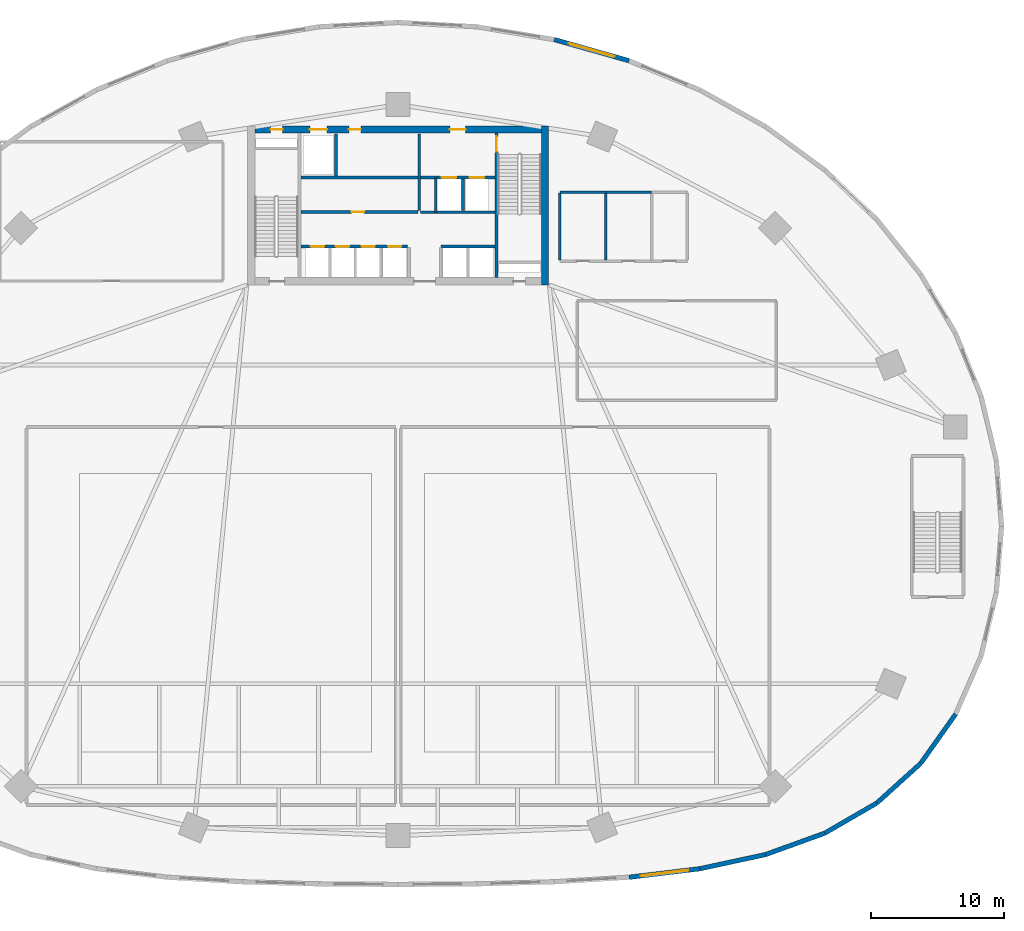
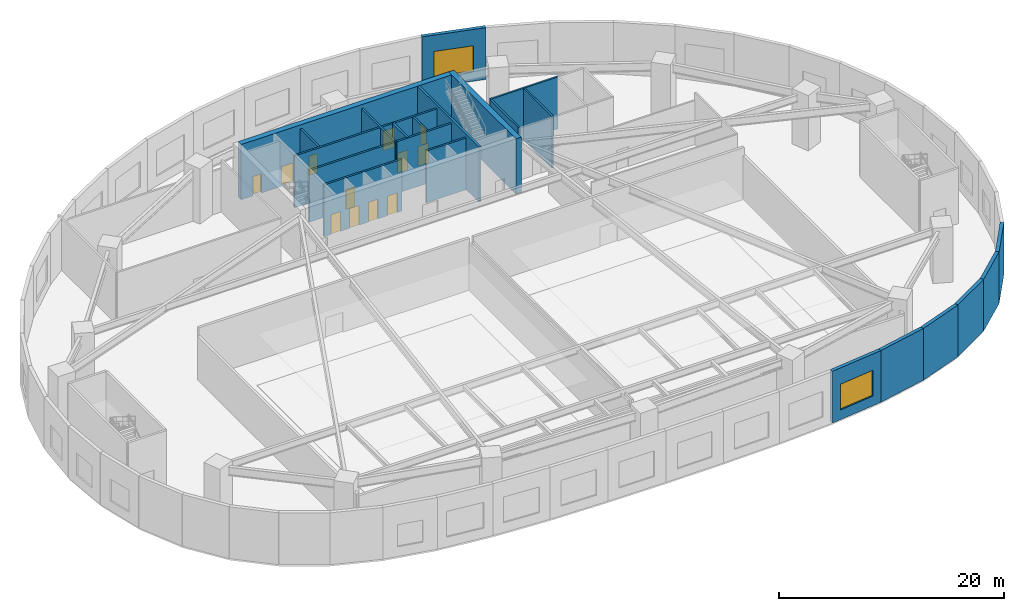
# One storey, part 4 of 10: 24 walls, 12 doors, 2 windows, 14 openings.
"""IFC4 building model written with IfcOpenShell, lengths in metres."""

from ifc_helpers import new_model, si_unit, direction, frame, frame_2d, origin, place, context, subcontext, project, spatial, rectangle, extrude, source, transform, mapped, material, layer, layer_set, type_object, type_shapes, element, fill, save


model = new_model("IFC4")

# Units and contexts
model_context = context("Model", 3, precision=1e-05, world=origin(), true_north=direction((0.0, 1.0)))
body_context = subcontext(model_context, "Body", "Model", "MODEL_VIEW")
ifc_project = project(units=[si_unit("LENGTHUNIT", "METRE"), si_unit("AREAUNIT", "SQUARE_METRE"), si_unit("VOLUMEUNIT", "CUBIC_METRE"), si_unit("PLANEANGLEUNIT", "RADIAN"), si_unit("MASSUNIT", "GRAM", prefix="KILO")], contexts=[model_context])

# Site, building, storey
site_placement = place(None, origin())
site = spatial("IfcSite", under=ifc_project, at=site_placement, CompositionType="ELEMENT")
building_placement = place(site_placement, origin())
building = spatial("IfcBuilding", under=site, at=building_placement, Name="Breltana Convention Tower", CompositionType="ELEMENT")
storey_placement = place(building_placement, frame((0.0, 0.0, 18.0)))
storey = spatial("IfcBuildingStorey", under=building, at=storey_placement, Name="L03", CompositionType="ELEMENT", Elevation=18.0)

# Wall
ifc_material_1 = material(Name="Concrete C60/75", Category="concrete")
ifc_layer_1 = layer(ifc_material_1, 0.550048828125, Name="Concrete C60/75")
ifc_layer_set_1 = layer_set([ifc_layer_1], Name="Concrete C60/75")
wall_type_1 = type_object("IfcWallType", Name="SW-CORE-550", PredefinedType="SHEAR", material=ifc_layer_set_1)
shared_shape_1 = source(origin(), body_context, "Body", "SweptSolid", [
    extrude(rectangle(XDim=12.0, YDim=0.550048828125, at=frame_2d((6.0, 0.0))), origin(), (0.0, 0.0, 1.0), 6.0),
])
wall_1_placement = place(storey_placement, frame((59.074951171875, 60.199951171875, 0.0), z_axis=(0.0, 0.0, 1.0), x_axis=(0.0, 1.0, 0.0)))
element("IfcWall", 1, at=wall_1_placement, inside=storey, type_object=wall_type_1, Name="L03 East Core Shear Wall", PredefinedType="SHEAR", context=body_context, shape_type="MappedRepresentation", body=[
    mapped(shared_shape_1, transform((0.0, 0.0, 0.0), scale=1.0)),
])

# Wall, openings, doors
shared_shape_2 = source(origin(), body_context, "Body", "SweptSolid", [
    extrude(rectangle(XDim=21.60009765625, YDim=0.550048828125, at=frame_2d((10.800048828125, 0.0))), origin(), (0.0, 0.0, 1.0), 6.0),
])
wall_2_placement = place(storey_placement, frame((37.199951171875, 71.925048828125, 0.0), z_axis=(0.0, 0.0, 1.0), x_axis=(1.0, 0.0, 0.0)))
wall_2 = element("IfcWall", 2, at=wall_2_placement, inside=storey, type_object=wall_type_1, Name="L03 North Core Shear Wall", PredefinedType="SHEAR", context=body_context, shape_type="MappedRepresentation", body=[
    mapped(shared_shape_2, transform((0.0, 0.0, 0.0), scale=1.0)),
])
opening_1_placement = place(wall_2_placement, frame((1.199951171875, 0.0, 0.0)))
opening_1 = element("IfcOpeningElement", 3, at=opening_1_placement, cuts=wall_2, Name="Opening D-18", PredefinedType="OPENING", context=body_context, shape_type="SweptSolid", body=[
    extrude(rectangle(XDim=0.89990234375, YDim=2.10009765625, at=frame_2d((0.449951171875, 1.050048828125))), frame((0.0, 0.28515625, 0.0), z_axis=(0.0, -1.0, 0.0), x_axis=(1.0, 0.0, 0.0)), (0.0, 0.0, 1.0), 0.570068359375),
])
opening_2_placement = place(wall_2_placement, frame((14.699951171875, 0.0, 0.0)))
opening_2 = element("IfcOpeningElement", 4, at=opening_2_placement, cuts=wall_2, Name="Opening D-09", PredefinedType="OPENING", context=body_context, shape_type="SweptSolid", body=[
    extrude(rectangle(XDim=1.199951171875, YDim=2.14990234375, at=frame_2d((0.60009765625, 1.074951171875))), frame((0.0, 0.28515625, 0.0), z_axis=(0.0, -1.0, 0.0), x_axis=(1.0, 0.0, 0.0)), (0.0, 0.0, 1.0), 0.570068359375),
])
opening_3_placement = place(wall_2_placement, frame((4.14990234375, 0.0, 0.0)))
opening_3 = element("IfcOpeningElement", 5, at=opening_3_placement, cuts=wall_2, Name="Opening LD-01", PredefinedType="OPENING", context=body_context, shape_type="SweptSolid", body=[
    extrude(rectangle(XDim=1.300048828125, YDim=2.14990234375, at=frame_2d((0.64990234375, 1.074951171875))), frame((0.0, 0.28515625, 0.0), z_axis=(0.0, -1.0, 0.0), x_axis=(1.0, 0.0, 0.0)), (0.0, 0.0, 1.0), 0.570068359375),
])
opening_4_placement = place(wall_2_placement, frame((7.10009765625, 0.0, 0.0)))
opening_4 = element("IfcOpeningElement", 6, at=opening_4_placement, cuts=wall_2, Name="Opening D-18", PredefinedType="OPENING", context=body_context, shape_type="SweptSolid", body=[
    extrude(rectangle(XDim=0.89990234375, YDim=2.10009765625, at=frame_2d((0.449951171875, 1.050048828125))), frame((0.0, 0.28515625, 0.0), z_axis=(0.0, -1.0, 0.0), x_axis=(1.0, 0.0, 0.0)), (0.0, 0.0, 1.0), 0.570068359375),
])
ifc_material_2 = material(Name="Steel Riser Fire Door", Category="steel")
door_type_1 = type_object("IfcDoorType", Name="DR-FD60-900", OperationType="NOTDEFINED", PredefinedType="DOOR", material=ifc_material_2)
shared_shape_3 = source(origin(), body_context, "Body", "SweptSolid", [
    extrude(rectangle(XDim=0.89990234375, YDim=2.10009765625, at=frame_2d((0.449951171875, 1.050048828125))), frame((0.0, 0.02490234375, 0.0), z_axis=(0.0, -1.0, 0.0), x_axis=(1.0, 0.0, 0.0)), (0.0, 0.0, 1.0), 0.050048828125),
])
type_shapes(door_type_1, [shared_shape_3])
door_1_placement = place(opening_1_placement, origin())
door_1 = element("IfcDoor", 7, at=door_1_placement, inside=storey, type_object=door_type_1, Name="L03 Core Riser Access Door D-L03-RS1", OperationType="SINGLE_SWING_LEFT", OverallHeight=2.10009765625, OverallWidth=0.89990234375, PredefinedType="DOOR", context=body_context, shape_type="MappedRepresentation", body=[
    mapped(shared_shape_3, transform((0.0, 0.0, 0.0), scale=1.0)),
])
fill(opening_1, door_1)
door_2_placement = place(opening_4_placement, origin())
door_2 = element("IfcDoor", 8, at=door_2_placement, inside=storey, type_object=door_type_1, Name="L03 interior door D-L03-CRA1", OperationType="SINGLE_SWING_LEFT", OverallHeight=2.10009765625, OverallWidth=0.89990234375, PredefinedType="DOOR", context=body_context, shape_type="MappedRepresentation", body=[
    mapped(shared_shape_3, transform((0.0, 0.0, 0.0), scale=1.0)),
])
fill(opening_4, door_2)
ifc_material_3 = material(Name="Steel Fire Lobby Door", Category="steel")
door_type_2 = type_object("IfcDoorType", Name="DR-FD120-1200", OperationType="NOTDEFINED", PredefinedType="DOOR", material=ifc_material_3)
shared_shape_4 = source(origin(), body_context, "Body", "SweptSolid", [
    extrude(rectangle(XDim=1.199951171875, YDim=2.14990234375, at=frame_2d((0.60009765625, 1.074951171875))), frame((0.0, 0.02490234375, 0.0), z_axis=(0.0, -1.0, 0.0), x_axis=(1.0, 0.0, 0.0)), (0.0, 0.0, 1.0), 0.050048828125),
])
type_shapes(door_type_2, [shared_shape_4])
door_3_placement = place(opening_2_placement, origin())
door_3 = element("IfcDoor", 9, at=door_3_placement, inside=storey, type_object=door_type_2, Name="L03 interior door D-L03-FFL-N", OperationType="SINGLE_SWING_RIGHT", OverallHeight=2.14990234375, OverallWidth=1.199951171875, PredefinedType="DOOR", context=body_context, shape_type="MappedRepresentation", body=[
    mapped(shared_shape_4, transform((0.0, 0.0, 0.0), scale=1.0)),
])
fill(opening_2, door_3)
ifc_material_4 = material(Name="Stainless Steel Brushed", Category="steel")
door_type_3 = type_object("IfcDoorType", Name="DR-LD-SRV-1300", OperationType="DOUBLE_DOOR_SLIDING", PredefinedType="DOOR", material=ifc_material_4)
shared_shape_5 = source(origin(), body_context, "Body", "SweptSolid", [
    extrude(rectangle(XDim=1.300048828125, YDim=2.14990234375, at=frame_2d((0.64990234375, 1.074951171875))), frame((0.0, 0.02490234375, 0.0), z_axis=(0.0, -1.0, 0.0), x_axis=(1.0, 0.0, 0.0)), (0.0, 0.0, 1.0), 0.050048828125),
])
type_shapes(door_type_3, [shared_shape_5])
door_4_placement = place(opening_3_placement, origin())
door_4 = element("IfcDoor", 10, at=door_4_placement, inside=storey, type_object=door_type_3, Name="L03 Lift Landing Door D-L03-LD-SV1", OperationType="DOUBLE_DOOR_SLIDING", OverallHeight=2.14990234375, OverallWidth=1.300048828125, PredefinedType="DOOR", context=body_context, shape_type="MappedRepresentation", body=[
    mapped(shared_shape_5, transform((0.0, 0.0, 0.0), scale=1.0)),
])
fill(opening_3, door_4)

# Wall, opening, door
ifc_material_5 = material(Name="Concrete C50/60", Category="concrete")
ifc_layer_2 = layer(ifc_material_5, 0.39990234375, Name="Concrete C50/60")
ifc_layer_set_2 = layer_set([ifc_layer_2], Name="Concrete C50/60")
wall_type_2 = type_object("IfcWallType", Name="SW-CORE-400", PredefinedType="SHEAR", material=ifc_layer_set_2)
shared_shape_6 = source(origin(), body_context, "Body", "SweptSolid", [
    extrude(rectangle(XDim=10.89990234375, YDim=0.219970703125, at=frame_2d((5.449951171875, 0.0))), origin(), (0.0, 0.0, 1.0), 6.0),
])
wall_3_placement = place(storey_placement, frame((55.419921875, 60.75, 0.0), z_axis=(0.0, 0.0, 1.0), x_axis=(0.0, 1.0, 0.0)))
wall_3 = element("IfcWall", 11, at=wall_3_placement, inside=storey, type_object=wall_type_2, Name="L03 Core East Stair Spine Wall", PredefinedType="SHEAR", context=body_context, shape_type="MappedRepresentation", body=[
    mapped(shared_shape_6, transform((0.0, 0.0, 0.0), scale=1.0)),
])
opening_5_placement = place(wall_3_placement, frame((9.4951171875, 0.0, 0.0)))
opening_5 = element("IfcOpeningElement", 12, at=opening_5_placement, cuts=wall_3, Name="Opening D-11", PredefinedType="OPENING", context=body_context, shape_type="SweptSolid", body=[
    extrude(rectangle(XDim=1.14990234375, YDim=2.14990234375, at=frame_2d((0.574951171875, 1.074951171875))), frame((0.0, 0.1201171875, 0.0), z_axis=(0.0, -1.0, 0.0), x_axis=(1.0, 0.0, 0.0)), (0.0, 0.0, 1.0), 0.239990234375),
])
ifc_material_6 = material(Name="Steel Stair Exit Door", Category="steel")
door_type_4 = type_object("IfcDoorType", Name="DR-FD120-1150", OperationType="NOTDEFINED", PredefinedType="DOOR", material=ifc_material_6)
shared_shape_7 = source(origin(), body_context, "Body", "SweptSolid", [
    extrude(rectangle(XDim=1.14990234375, YDim=2.14990234375, at=frame_2d((0.574951171875, 1.074951171875))), frame((0.0, 0.02490234375, 0.0), z_axis=(0.0, -1.0, 0.0), x_axis=(1.0, 0.0, 0.0)), (0.0, 0.0, 1.0), 0.050048828125),
])
type_shapes(door_type_4, [shared_shape_7])
door_5_placement = place(opening_5_placement, origin())
door_5 = element("IfcDoor", 13, at=door_5_placement, inside=storey, type_object=door_type_4, Name="L03 interior door D-L03-ST2", OperationType="SINGLE_SWING_LEFT", OverallHeight=2.14990234375, OverallWidth=1.14990234375, PredefinedType="DOOR", context=body_context, shape_type="MappedRepresentation", body=[
    mapped(shared_shape_7, transform((0.0, 0.0, 0.0), scale=1.0)),
])
fill(opening_5, door_5)

# Wall, opening, window
ifc_material_7 = material(Name="Limestone Buff Insulated Wall", Category="masonry")
ifc_layer_3 = layer(ifc_material_7, 0.35009765625, Name="Limestone Buff Insulated Wall")
ifc_layer_set_3 = layer_set([ifc_layer_3], Name="Limestone Buff Insulated Wall")
wall_type_3 = type_object("IfcWallType", Name="WL-EXT-POD-350", PredefinedType="SOLIDWALL", material=ifc_layer_set_3)
shared_shape_8 = source(origin(), body_context, "Body", "SweptSolid", [
    extrude(rectangle(XDim=5.85791015625, YDim=0.35009765625, at=frame_2d((2.928955078125, 0.0))), origin(), (0.0, 0.0, 1.0), 5.6201171875),
])
wall_4_placement = place(storey_placement, frame((65.412109375, 77.107421875, 0.0), z_axis=(0.0, 0.0, 1.0), x_axis=(-0.962088093248, 0.272738887637, 0.0)))
wall_4 = element("IfcWall", 14, at=wall_4_placement, inside=storey, type_object=wall_type_3, Name="L03 limestone facade wall 10", PredefinedType="SOLIDWALL", context=body_context, shape_type="MappedRepresentation", body=[
    mapped(shared_shape_8, transform((0.0, 0.0, 0.0), scale=1.0)),
])
opening_6_placement = place(wall_4_placement, frame((1.12890625, 0.0, 1.050048828125)))
opening_6 = element("IfcOpeningElement", 15, at=opening_6_placement, cuts=wall_4, Name="Opening W-01", PredefinedType="OPENING", context=body_context, shape_type="SweptSolid", body=[
    extrude(rectangle(XDim=3.60009765625, YDim=2.800048828125, at=frame_2d((1.800048828125, 1.39990234375))), frame((0.0, 0.18505859375, 0.0), z_axis=(0.0, -1.0, 0.0), x_axis=(1.0, 0.0, 0.0)), (0.0, 0.0, 1.0), 0.3701171875),
])
ifc_material_8 = material(Name="Glass Low-E Insulated Window", Category="glass")
window_type = type_object("IfcWindowType", Name="WN-POD-3600X2800", PartitioningType="TRIPLE_PANEL_VERTICAL", PredefinedType="WINDOW", material=ifc_material_8)
shared_shape_9 = source(origin(), body_context, "Body", "SweptSolid", [
    extrude(rectangle(XDim=3.60009765625, YDim=2.800048828125, at=frame_2d((1.800048828125, 1.39990234375))), frame((0.0, 0.030029296875, 0.0), z_axis=(0.0, -1.0, 0.0), x_axis=(1.0, 0.0, 0.0)), (0.0, 0.0, 1.0), 0.06005859375),
])
type_shapes(window_type, [shared_shape_9])
window_1_placement = place(opening_6_placement, origin())
window_1 = element("IfcWindow", 16, at=window_1_placement, inside=storey, type_object=window_type, Name="L03 tripartite window 10.1", OverallHeight=2.800048828125, OverallWidth=3.60009765625, PartitioningType="TRIPLE_PANEL_VERTICAL", PredefinedType="WINDOW", context=body_context, shape_type="MappedRepresentation", body=[
    mapped(shared_shape_9, transform((0.0, 0.0, 0.0), scale=1.0)),
])
fill(opening_6, window_1)

# Walls
shared_shape_10 = source(origin(), body_context, "Body", "SweptSolid", [
    extrude(rectangle(XDim=4.54833984375, YDim=0.35009765625, at=frame_2d((2.274169921875, 0.0))), origin(), (0.0, 0.0, 1.0), 5.6201171875),
])
wall_5_placement = place(storey_placement, frame((87.404296875, 24.14501953125, 0.0), z_axis=(0.0, 0.0, 1.0), x_axis=(0.578742399763, 0.815510413616, 0.0)))
element("IfcWall", 17, at=wall_5_placement, inside=storey, type_object=wall_type_3, Name="L03 limestone facade wall 45", PredefinedType="SOLIDWALL", context=body_context, shape_type="MappedRepresentation", body=[
    mapped(shared_shape_10, transform((0.0, 0.0, 0.0), scale=1.0)),
])
shared_shape_11 = source(origin(), body_context, "Body", "SweptSolid", [
    extrude(rectangle(XDim=4.458740234375, YDim=0.35009765625, at=frame_2d((2.2294921875, 0.0))), origin(), (0.0, 0.0, 1.0), 5.6201171875),
])
wall_6_placement = place(storey_placement, frame((84.09765625, 21.154052734375, 0.0), z_axis=(0.0, 0.0, 1.0), x_axis=(0.741620092595, 0.670820123625, 0.0)))
element("IfcWall", 18, at=wall_6_placement, inside=storey, type_object=wall_type_3, Name="L03 limestone facade wall 44", PredefinedType="SOLIDWALL", context=body_context, shape_type="MappedRepresentation", body=[
    mapped(shared_shape_11, transform((0.0, 0.0, 0.0), scale=1.0)),
])
shared_shape_12 = source(origin(), body_context, "Body", "SweptSolid", [
    extrude(rectangle(XDim=4.535400390625, YDim=0.35009765625, at=frame_2d((2.267578125, 0.0))), origin(), (0.0, 0.0, 1.0), 5.6201171875),
])
wall_7_placement = place(storey_placement, frame((80.17333984375, 18.880615234375, 0.0), z_axis=(0.0, 0.0, 1.0), x_axis=(0.86528620064, 0.501278157295, 0.0)))
element("IfcWall", 19, at=wall_7_placement, inside=storey, type_object=wall_type_3, Name="L03 limestone facade wall 43", PredefinedType="SOLIDWALL", context=body_context, shape_type="MappedRepresentation", body=[
    mapped(shared_shape_12, transform((0.0, 0.0, 0.0), scale=1.0)),
])
shared_shape_13 = source(origin(), body_context, "Body", "SweptSolid", [
    extrude(rectangle(XDim=4.75830078125, YDim=0.35009765625, at=frame_2d((2.379150390625, 0.0))), origin(), (0.0, 0.0, 1.0), 5.6201171875),
])
wall_8_placement = place(storey_placement, frame((75.698486328125, 17.2626953125, 0.0), z_axis=(0.0, 0.0, 1.0), x_axis=(0.940419515454, 0.340016374538, 0.0)))
element("IfcWall", 20, at=wall_8_placement, inside=storey, type_object=wall_type_3, Name="L03 limestone facade wall 42", PredefinedType="SOLIDWALL", context=body_context, shape_type="MappedRepresentation", body=[
    mapped(shared_shape_13, transform((0.0, 0.0, 0.0), scale=1.0)),
])
shared_shape_14 = source(origin(), body_context, "Body", "SweptSolid", [
    extrude(rectangle(XDim=5.062255859375, YDim=0.35009765625, at=frame_2d((2.53125, 0.0))), origin(), (0.0, 0.0, 1.0), 5.6201171875),
])
wall_9_placement = place(storey_placement, frame((70.75, 16.196044921875, 0.0), z_axis=(0.0, 0.0, 1.0), x_axis=(0.977548321811, 0.210711363066, 0.0)))
element("IfcWall", 21, at=wall_9_placement, inside=storey, type_object=wall_type_3, Name="L03 limestone facade wall 41", PredefinedType="SOLIDWALL", context=body_context, shape_type="MappedRepresentation", body=[
    mapped(shared_shape_14, transform((0.0, 0.0, 0.0), scale=1.0)),
])

# Wall, opening, window
shared_shape_15 = source(origin(), body_context, "Body", "SweptSolid", [
    extrude(rectangle(XDim=5.37646484375, YDim=0.35009765625, at=frame_2d((2.688232421875, 0.0))), origin(), (0.0, 0.0, 1.0), 5.6201171875),
])
wall_10_placement = place(storey_placement, frame((65.412109375, 15.552734375, 0.0), z_axis=(0.0, 0.0, 1.0), x_axis=(0.992815901624, 0.119651934723, 0.0)))
wall_10 = element("IfcWall", 22, at=wall_10_placement, inside=storey, type_object=wall_type_3, Name="L03 limestone facade wall 40", PredefinedType="SOLIDWALL", context=body_context, shape_type="MappedRepresentation", body=[
    mapped(shared_shape_15, transform((0.0, 0.0, 0.0), scale=1.0)),
])
opening_7_placement = place(wall_10_placement, frame((0.88818359375, 0.0, 1.050048828125)))
opening_7 = element("IfcOpeningElement", 23, at=opening_7_placement, cuts=wall_10, Name="Opening W-01", PredefinedType="OPENING", context=body_context, shape_type="SweptSolid", body=[
    extrude(rectangle(XDim=3.60009765625, YDim=2.800048828125, at=frame_2d((1.800048828125, 1.39990234375))), frame((0.0, 0.18505859375, 0.0), z_axis=(0.0, -1.0, 0.0), x_axis=(1.0, 0.0, 0.0)), (0.0, 0.0, 1.0), 0.3701171875),
])
window_2_placement = place(opening_7_placement, origin())
window_2 = element("IfcWindow", 24, at=window_2_placement, inside=storey, type_object=window_type, Name="L03 tripartite window 40.1", OverallHeight=2.800048828125, OverallWidth=3.60009765625, PartitioningType="TRIPLE_PANEL_VERTICAL", PredefinedType="WINDOW", context=body_context, shape_type="MappedRepresentation", body=[
    mapped(shared_shape_9, transform((0.0, 0.0, 0.0), scale=1.0)),
])
fill(opening_7, window_2)

# Wall, openings, doors
ifc_material_9 = material(Name="Autoclaved Aerated Concrete Block", Category="concrete")
ifc_layer_4 = layer(ifc_material_9, 0.199951171875, Name="Autoclaved Aerated Concrete Block")
ifc_layer_set_4 = layer_set([ifc_layer_4], Name="Autoclaved Aerated Concrete Block")
wall_type_4 = type_object("IfcWallType", Name="WL-SHAFT-200", PredefinedType="SOLIDWALL", material=ifc_layer_set_4)
shared_shape_16 = source(origin(), body_context, "Body", "SweptSolid", [
    extrude(rectangle(XDim=5.6201171875, YDim=0.199951171875, at=frame_2d((2.81005859375, 0.0))), origin(), (0.0, 0.0, 1.0), 5.6201171875),
])
wall_11_placement = place(storey_placement, frame((49.699951171875, 68.300048828125, 0.0), z_axis=(0.0, 0.0, 1.0), x_axis=(1.0, 0.0, 0.0)))
wall_11 = element("IfcWall", 25, at=wall_11_placement, inside=storey, type_object=wall_type_4, Name="L03 interior partition W-L03-FFL-S", PredefinedType="SOLIDWALL", context=body_context, shape_type="MappedRepresentation", body=[
    mapped(shared_shape_16, transform((0.0, 0.0, 0.0), scale=1.0)),
])
opening_8_placement = place(wall_11_placement, frame((1.60009765625, 0.0, 0.0)))
opening_8 = element("IfcOpeningElement", 26, at=opening_8_placement, cuts=wall_11, Name="Opening LD-03", PredefinedType="OPENING", context=body_context, shape_type="SweptSolid", body=[
    extrude(rectangle(XDim=1.10009765625, YDim=2.14990234375, at=frame_2d((0.550048828125, 1.074951171875))), frame((0.0, 0.10986328125, 0.0), z_axis=(0.0, -1.0, 0.0), x_axis=(1.0, 0.0, 0.0)), (0.0, 0.0, 1.0), 0.219970703125),
])
opening_9_placement = place(wall_11_placement, frame((3.699951171875, 0.0, 0.0)))
opening_9 = element("IfcOpeningElement", 27, at=opening_9_placement, cuts=wall_11, Name="Opening LD-03", PredefinedType="OPENING", context=body_context, shape_type="SweptSolid", body=[
    extrude(rectangle(XDim=1.10009765625, YDim=2.14990234375, at=frame_2d((0.550048828125, 1.074951171875))), frame((0.0, 0.10986328125, 0.0), z_axis=(0.0, -1.0, 0.0), x_axis=(1.0, 0.0, 0.0)), (0.0, 0.0, 1.0), 0.219970703125),
])
door_type_5 = type_object("IfcDoorType", Name="DR-LD-FF-1100", OperationType="DOUBLE_DOOR_SLIDING", PredefinedType="DOOR", material=ifc_material_4)
shared_shape_17 = source(origin(), body_context, "Body", "SweptSolid", [
    extrude(rectangle(XDim=1.10009765625, YDim=2.14990234375, at=frame_2d((0.550048828125, 1.074951171875))), frame((0.0, 0.02490234375, 0.0), z_axis=(0.0, -1.0, 0.0), x_axis=(1.0, 0.0, 0.0)), (0.0, 0.0, 1.0), 0.050048828125),
])
type_shapes(door_type_5, [shared_shape_17])
door_6_placement = place(opening_8_placement, origin())
door_6 = element("IfcDoor", 28, at=door_6_placement, inside=storey, type_object=door_type_5, Name="L03 Lift Landing Door D-L03-LD-FL1", OperationType="DOUBLE_DOOR_SLIDING", OverallHeight=2.14990234375, OverallWidth=1.10009765625, PredefinedType="DOOR", context=body_context, shape_type="MappedRepresentation", body=[
    mapped(shared_shape_17, transform((0.0, 0.0, 0.0), scale=1.0)),
])
fill(opening_8, door_6)
door_7_placement = place(opening_9_placement, origin())
door_7 = element("IfcDoor", 29, at=door_7_placement, inside=storey, type_object=door_type_5, Name="L03 Lift Landing Door D-L03-LD-FL2", OperationType="DOUBLE_DOOR_SLIDING", OverallHeight=2.14990234375, OverallWidth=1.10009765625, PredefinedType="DOOR", context=body_context, shape_type="MappedRepresentation", body=[
    mapped(shared_shape_17, transform((0.0, 0.0, 0.0), scale=1.0)),
])
fill(opening_9, door_7)

# Walls
wall_12_placement = place(storey_placement, frame((49.699951171875, 65.679931640625, 0.0), z_axis=(0.0, 0.0, 1.0), x_axis=(1.0, 0.0, 0.0)))
element("IfcWall", 30, at=wall_12_placement, inside=storey, type_object=wall_type_4, Name="L03 interior partition W-L03-FL-S", PredefinedType="SOLIDWALL", context=body_context, shape_type="MappedRepresentation", body=[
    mapped(shared_shape_16, transform((0.0, 0.0, 0.0), scale=1.0)),
])
shared_shape_18 = source(origin(), body_context, "Body", "SweptSolid", [
    extrude(rectangle(XDim=5.800048828125, YDim=0.199951171875, at=frame_2d((2.89990234375, 0.0))), origin(), (0.0, 0.0, 1.0), 5.6201171875),
])
wall_13_placement = place(storey_placement, frame((49.60009765625, 65.800048828125, 0.0), z_axis=(0.0, 0.0, 1.0), x_axis=(0.0, 1.0, 0.0)))
element("IfcWall", 31, at=wall_13_placement, inside=storey, type_object=wall_type_4, Name="L03 interior partition W-L03-FFL-W", PredefinedType="SOLIDWALL", context=body_context, shape_type="MappedRepresentation", body=[
    mapped(shared_shape_18, transform((0.0, 0.0, 0.0), scale=1.0)),
])
shared_shape_19 = source(origin(), body_context, "Body", "SweptSolid", [
    extrude(rectangle(XDim=2.580078125, YDim=0.199951171875, at=frame_2d((1.2900390625, 0.0))), origin(), (0.0, 0.0, 1.0), 5.6201171875),
])
wall_14_placement = place(storey_placement, frame((50.85009765625, 65.679931640625, 0.0), z_axis=(0.0, 0.0, 1.0), x_axis=(0.0, 1.0, 0.0)))
element("IfcWall", 32, at=wall_14_placement, inside=storey, type_object=wall_type_4, Name="L03 interior partition W-L03-FL-W", PredefinedType="SOLIDWALL", context=body_context, shape_type="MappedRepresentation", body=[
    mapped(shared_shape_19, transform((0.0, 0.0, 0.0), scale=1.0)),
])
shared_shape_20 = source(origin(), body_context, "Body", "SweptSolid", [
    extrude(rectangle(XDim=2.39990234375, YDim=0.199951171875, at=frame_2d((1.199951171875, 0.0))), origin(), (0.0, 0.0, 1.0), 5.6201171875),
])
wall_15_placement = place(storey_placement, frame((52.89990234375, 65.800048828125, 0.0), z_axis=(0.0, 0.0, 1.0), x_axis=(0.0, 1.0, 0.0)))
element("IfcWall", 33, at=wall_15_placement, inside=storey, type_object=wall_type_4, Name="L03 interior partition W-L03-FL-DIV", PredefinedType="SOLIDWALL", context=body_context, shape_type="MappedRepresentation", body=[
    mapped(shared_shape_20, transform((0.0, 0.0, 0.0), scale=1.0)),
])
shared_shape_21 = source(origin(), body_context, "Body", "SweptSolid", [
    extrude(rectangle(XDim=3.2001953125, YDim=0.199951171875, at=frame_2d((1.60009765625, 0.0))), origin(), (0.0, 0.0, 1.0), 5.6201171875),
])
wall_16_placement = place(storey_placement, frame((43.320068359375, 68.39990234375, 0.0), z_axis=(0.0, 0.0, 1.0), x_axis=(0.0, 1.0, 0.0)))
element("IfcWall", 34, at=wall_16_placement, inside=storey, type_object=wall_type_4, Name="L03 interior partition W-L03-SV-E", PredefinedType="SOLIDWALL", context=body_context, shape_type="MappedRepresentation", body=[
    mapped(shared_shape_21, transform((0.0, 0.0, 0.0), scale=1.0)),
])
shared_shape_22 = source(origin(), body_context, "Body", "SweptSolid", [
    extrude(rectangle(XDim=8.800048828125, YDim=0.199951171875, at=frame_2d((4.39990234375, 0.0))), origin(), (0.0, 0.0, 1.0), 5.6201171875),
])
wall_17_placement = place(storey_placement, frame((40.699951171875, 68.300048828125, 0.0), z_axis=(0.0, 0.0, 1.0), x_axis=(1.0, 0.0, 0.0)))
element("IfcWall", 35, at=wall_17_placement, inside=storey, type_object=wall_type_4, Name="L03 interior partition W-L03-SV-S", PredefinedType="SOLIDWALL", context=body_context, shape_type="MappedRepresentation", body=[
    mapped(shared_shape_22, transform((0.0, 0.0, 0.0), scale=1.0)),
])

# Wall, opening, door
wall_18_placement = place(storey_placement, frame((40.699951171875, 65.699951171875, 0.0), z_axis=(0.0, 0.0, 1.0), x_axis=(1.0, 0.0, 0.0)))
wall_18 = element("IfcWall", 36, at=wall_18_placement, inside=storey, type_object=wall_type_4, Name="L03 interior partition W-L03-SH-M-FRONT", PredefinedType="SOLIDWALL", context=body_context, shape_type="MappedRepresentation", body=[
    mapped(shared_shape_22, transform((0.0, 0.0, 0.0), scale=1.0)),
])
opening_10_placement = place(wall_18_placement, frame((3.800048828125, 0.0, 0.0)))
opening_10 = element("IfcOpeningElement", 37, at=opening_10_placement, cuts=wall_18, Name="Opening D-14", PredefinedType="OPENING", context=body_context, shape_type="SweptSolid", body=[
    extrude(rectangle(XDim=0.949951171875, YDim=2.14990234375, at=frame_2d((0.47509765625, 1.074951171875))), frame((0.0, 0.10986328125, 0.0), z_axis=(0.0, -1.0, 0.0), x_axis=(1.0, 0.0, 0.0)), (0.0, 0.0, 1.0), 0.219970703125),
])
ifc_material_10 = material(Name="Timber Solid-Core Fire Door", Category="wood")
door_type_6 = type_object("IfcDoorType", Name="DR-FD60-950", OperationType="NOTDEFINED", PredefinedType="DOOR", material=ifc_material_10)
shared_shape_23 = source(origin(), body_context, "Body", "SweptSolid", [
    extrude(rectangle(XDim=0.949951171875, YDim=2.14990234375, at=frame_2d((0.47509765625, 1.074951171875))), frame((0.0, 0.02490234375, 0.0), z_axis=(0.0, -1.0, 0.0), x_axis=(1.0, 0.0, 0.0)), (0.0, 0.0, 1.0), 0.050048828125),
])
type_shapes(door_type_6, [shared_shape_23])
door_8_placement = place(opening_10_placement, origin())
door_8 = element("IfcDoor", 38, at=door_8_placement, inside=storey, type_object=door_type_6, Name="L03 interior door D-L03-LV7-B2A", OperationType="SINGLE_SWING_RIGHT", OverallHeight=2.14990234375, OverallWidth=0.949951171875, PredefinedType="DOOR", context=body_context, shape_type="MappedRepresentation", body=[
    mapped(shared_shape_23, transform((0.0, 0.0, 0.0), scale=1.0)),
])
fill(opening_10, door_8)

# Wall, openings, doors
shared_shape_24 = source(origin(), body_context, "Body", "SweptSolid", [
    extrude(rectangle(XDim=8.02001953125, YDim=0.199951171875, at=frame_2d((4.010009765625, 0.0))), origin(), (0.0, 0.0, 1.0), 5.6201171875),
])
wall_19_placement = place(storey_placement, frame((40.699951171875, 63.10009765625, 0.0), z_axis=(0.0, 0.0, 1.0), x_axis=(1.0, 0.0, 0.0)))
wall_19 = element("IfcWall", 39, at=wall_19_placement, inside=storey, type_object=wall_type_4, Name="L03 interior partition W-L03-SH-S-FRONT", PredefinedType="SOLIDWALL", context=body_context, shape_type="MappedRepresentation", body=[
    mapped(shared_shape_24, transform((0.0, 0.0, 0.0), scale=1.0)),
])
opening_11_placement = place(wall_19_placement, frame((0.719970703125, 0.0, 0.0)))
opening_11 = element("IfcOpeningElement", 40, at=opening_11_placement, cuts=wall_19, Name="Opening LD-04", PredefinedType="OPENING", context=body_context, shape_type="SweptSolid", body=[
    extrude(rectangle(XDim=1.0, YDim=2.14990234375, at=frame_2d((0.5, 1.074951171875))), frame((0.0, 0.10986328125, 0.0), z_axis=(0.0, -1.0, 0.0), x_axis=(1.0, 0.0, 0.0)), (0.0, 0.0, 1.0), 0.219970703125),
])
opening_12_placement = place(wall_19_placement, frame((2.6201171875, 0.0, 0.0)))
opening_12 = element("IfcOpeningElement", 41, at=opening_12_placement, cuts=wall_19, Name="Opening LD-04", PredefinedType="OPENING", context=body_context, shape_type="SweptSolid", body=[
    extrude(rectangle(XDim=1.0, YDim=2.14990234375, at=frame_2d((0.5, 1.074951171875))), frame((0.0, 0.10986328125, 0.0), z_axis=(0.0, -1.0, 0.0), x_axis=(1.0, 0.0, 0.0)), (0.0, 0.0, 1.0), 0.219970703125),
])
opening_13_placement = place(wall_19_placement, frame((4.550048828125, 0.0, 0.0)))
opening_13 = element("IfcOpeningElement", 42, at=opening_13_placement, cuts=wall_19, Name="Opening LD-04", PredefinedType="OPENING", context=body_context, shape_type="SweptSolid", body=[
    extrude(rectangle(XDim=1.0, YDim=2.14990234375, at=frame_2d((0.5, 1.074951171875))), frame((0.0, 0.10986328125, 0.0), z_axis=(0.0, -1.0, 0.0), x_axis=(1.0, 0.0, 0.0)), (0.0, 0.0, 1.0), 0.219970703125),
])
opening_14_placement = place(wall_19_placement, frame((6.550048828125, 0.0, 0.0)))
opening_14 = element("IfcOpeningElement", 43, at=opening_14_placement, cuts=wall_19, Name="Opening LD-04", PredefinedType="OPENING", context=body_context, shape_type="SweptSolid", body=[
    extrude(rectangle(XDim=1.0, YDim=2.14990234375, at=frame_2d((0.5, 1.074951171875))), frame((0.0, 0.10986328125, 0.0), z_axis=(0.0, -1.0, 0.0), x_axis=(1.0, 0.0, 0.0)), (0.0, 0.0, 1.0), 0.219970703125),
])
door_type_7 = type_object("IfcDoorType", Name="DR-LD-PAX-1000", OperationType="DOUBLE_DOOR_SLIDING", PredefinedType="DOOR", material=ifc_material_4)
shared_shape_25 = source(origin(), body_context, "Body", "SweptSolid", [
    extrude(rectangle(XDim=1.0, YDim=2.14990234375, at=frame_2d((0.5, 1.074951171875))), frame((0.0, 0.02490234375, 0.0), z_axis=(0.0, -1.0, 0.0), x_axis=(1.0, 0.0, 0.0)), (0.0, 0.0, 1.0), 0.050048828125),
])
type_shapes(door_type_7, [shared_shape_25])
door_9_placement = place(opening_11_placement, origin())
door_9 = element("IfcDoor", 44, at=door_9_placement, inside=storey, type_object=door_type_7, Name="L03 Lift Landing Door D-L03-LD-S1", OperationType="DOUBLE_DOOR_SLIDING", OverallHeight=2.14990234375, OverallWidth=1.0, PredefinedType="DOOR", context=body_context, shape_type="MappedRepresentation", body=[
    mapped(shared_shape_25, transform((0.0, 0.0, 0.0), scale=1.0)),
])
fill(opening_11, door_9)
door_10_placement = place(opening_12_placement, origin())
door_10 = element("IfcDoor", 45, at=door_10_placement, inside=storey, type_object=door_type_7, Name="L03 Lift Landing Door D-L03-LD-S2", OperationType="DOUBLE_DOOR_SLIDING", OverallHeight=2.14990234375, OverallWidth=1.0, PredefinedType="DOOR", context=body_context, shape_type="MappedRepresentation", body=[
    mapped(shared_shape_25, transform((0.0, 0.0, 0.0), scale=1.0)),
])
fill(opening_12, door_10)
door_11_placement = place(opening_13_placement, origin())
door_11 = element("IfcDoor", 46, at=door_11_placement, inside=storey, type_object=door_type_7, Name="L03 Lift Landing Door D-L03-LD-S3", OperationType="DOUBLE_DOOR_SLIDING", OverallHeight=2.14990234375, OverallWidth=1.0, PredefinedType="DOOR", context=body_context, shape_type="MappedRepresentation", body=[
    mapped(shared_shape_25, transform((0.0, 0.0, 0.0), scale=1.0)),
])
fill(opening_13, door_11)
door_12_placement = place(opening_14_placement, origin())
door_12 = element("IfcDoor", 47, at=door_12_placement, inside=storey, type_object=door_type_7, Name="L03 Lift Landing Door D-L03-LD-S4", OperationType="DOUBLE_DOOR_SLIDING", OverallHeight=2.14990234375, OverallWidth=1.0, PredefinedType="DOOR", context=body_context, shape_type="MappedRepresentation", body=[
    mapped(shared_shape_25, transform((0.0, 0.0, 0.0), scale=1.0)),
])
fill(opening_14, door_12)

# Walls
shared_shape_26 = source(origin(), body_context, "Body", "SweptSolid", [
    extrude(rectangle(XDim=4.10009765625, YDim=0.199951171875, at=frame_2d((2.050048828125, 0.0))), origin(), (0.0, 0.0, 1.0), 5.6201171875),
])
wall_20_placement = place(storey_placement, frame((51.219970703125, 63.10009765625, 0.0), z_axis=(0.0, 0.0, 1.0), x_axis=(1.0, 0.0, 0.0)))
element("IfcWall", 48, at=wall_20_placement, inside=storey, type_object=wall_type_4, Name="L03 interior partition W-L03-SH-X-FRONT", PredefinedType="SOLIDWALL", context=body_context, shape_type="MappedRepresentation", body=[
    mapped(shared_shape_26, transform((0.0, 0.0, 0.0), scale=1.0)),
])
ifc_material_11 = material(Name="Moisture-Resistant Gypsum Chase Wall")
ifc_layer_5 = layer(ifc_material_11, 0.179931640625, Name="Moisture-Resistant Gypsum Chase Wall")
ifc_layer_set_5 = layer_set([ifc_layer_5], Name="Moisture-Resistant Gypsum Chase Wall")
wall_type_5 = type_object("IfcWallType", Name="WL-PLUMB-180", PredefinedType="PLUMBINGWALL", material=ifc_layer_set_5)
shared_shape_27 = source(origin(), body_context, "Body", "SweptSolid", [
    extrude(rectangle(XDim=3.4560546875, YDim=0.179931640625, at=frame_2d((1.72802734375, 0.0))), origin(), (0.0, 0.0, 1.0), 5.6201171875),
])
for number, where, z_axis, x_axis, name in (
    (49, (60.199951171875, 67.199951171875, 0.0), (0.0, 0.0, 1.0), (1.0, 0.0, 0.0), "L03 interior partition W-L03-WCM-N"),
    (50, (63.656005859375, 67.199951171875, 0.0), (0.0, 0.0, 1.0), (1.0, 0.0, 0.0), "L03 interior partition W-L03-WCF-N"),
):
    element("IfcWall", number, at=place(storey_placement, frame(where, z_axis=z_axis, x_axis=x_axis)), inside=storey, type_object=wall_type_5, Name=name, PredefinedType="PLUMBINGWALL", context=body_context, shape_type="MappedRepresentation", body=[
        mapped(shared_shape_27, transform((0.0, 0.0, 0.0), scale=1.0)),
    ])
ifc_material_12 = material(Name="Cement Board Wet-Area Partition")
ifc_layer_6 = layer(ifc_material_12, 0.175048828125, Name="Cement Board Wet-Area Partition")
ifc_layer_set_6 = layer_set([ifc_layer_6], Name="Cement Board Wet-Area Partition")
wall_type_6 = type_object("IfcWallType", Name="WL-WET-175", PredefinedType="PARTITIONING", material=ifc_layer_set_6)
shared_shape_28 = source(origin(), body_context, "Body", "SweptSolid", [
    extrude(rectangle(XDim=5.042724609375, YDim=0.175048828125, at=frame_2d((2.521484375, 0.0))), origin(), (0.0, 0.0, 1.0), 5.6201171875),
])
for number, where, z_axis, x_axis, name in (
    (51, (60.199951171875, 62.07861328125, 0.0), (0.0, 0.0, 1.0), (0.0, 1.0, 0.0), "L03 interior partition W-L03-WCM-W"),
    (52, (63.656005859375, 62.07861328125, 0.0), (0.0, 0.0, 1.0), (0.0, 1.0, 0.0), "L03 interior partition W-L03-WCM-E"),
):
    element("IfcWall", number, at=place(storey_placement, frame(where, z_axis=z_axis, x_axis=x_axis)), inside=storey, type_object=wall_type_6, Name=name, PredefinedType="PARTITIONING", context=body_context, shape_type="MappedRepresentation", body=[
        mapped(shared_shape_28, transform((0.0, 0.0, 0.0), scale=1.0)),
    ])

save(model, "model.ifc")
